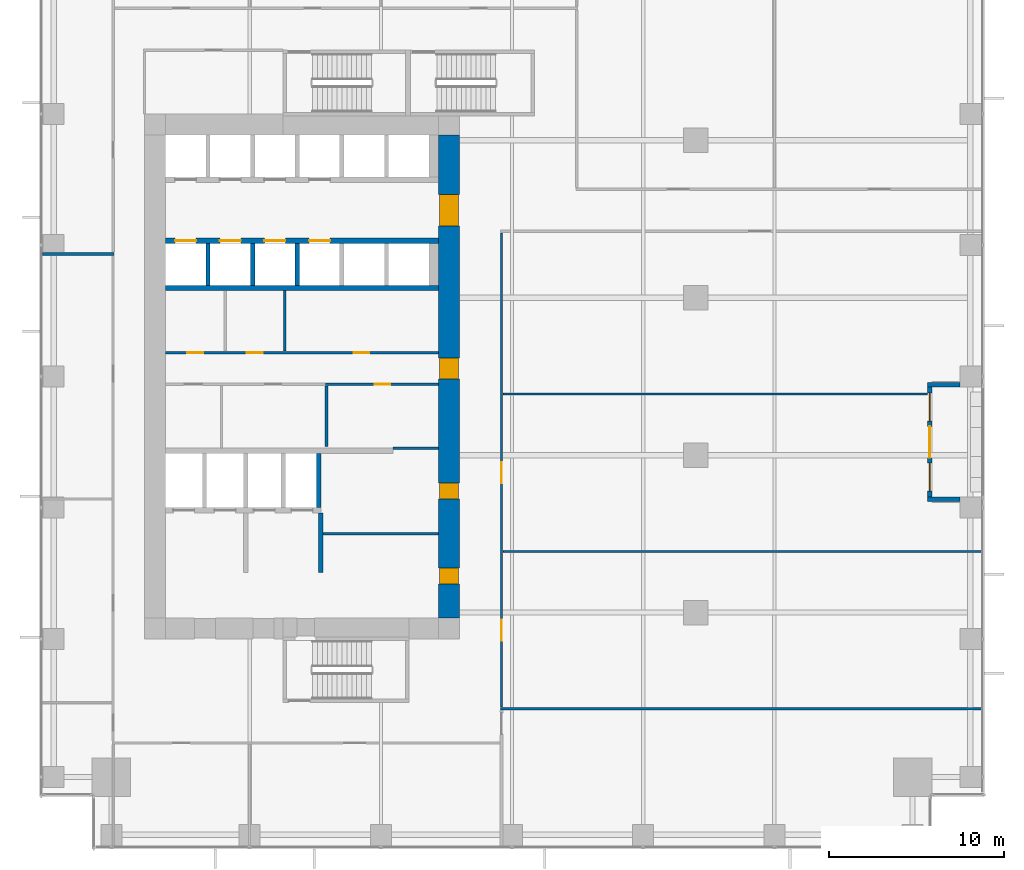
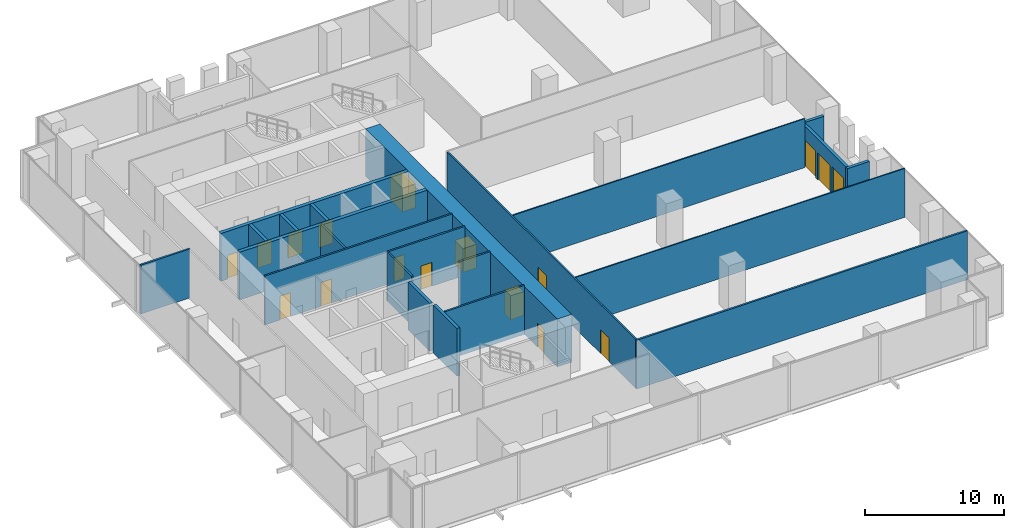
# One storey, part 27 of 32: 22 walls, 15 doors, 2 windows, 17 openings.
"""IFC4 building model written with IfcOpenShell, lengths in metres."""

from ifc_helpers import new_model, si_unit, direction, frame, frame_2d, origin, place, context, subcontext, project, spatial, rectangle, extrude, source, transform, mapped, material, layer, layer_set, type_object, element, fill, save


model = new_model("IFC4")

# Units and contexts
model_context = context("Model", 3, precision=1e-05, world=origin(), true_north=direction((0.0, 1.0)))
body_context = subcontext(model_context, "Body", "Model", "MODEL_VIEW")
ifc_project = project(units=[si_unit("LENGTHUNIT", "METRE"), si_unit("AREAUNIT", "SQUARE_METRE"), si_unit("VOLUMEUNIT", "CUBIC_METRE"), si_unit("PLANEANGLEUNIT", "RADIAN"), si_unit("MASSUNIT", "GRAM", prefix="KILO")], contexts=[model_context])

# Site, building, storey
site_placement = place(None, origin())
site = spatial("IfcSite", under=ifc_project, at=site_placement, CompositionType="ELEMENT")
building_placement = place(site_placement, origin())
building = spatial("IfcBuilding", under=site, at=building_placement, Name="Khomas Fold Tower", CompositionType="ELEMENT")
storey_placement = place(building_placement, frame((0.0, 0.0, 37.5)))
storey = spatial("IfcBuildingStorey", under=building, at=storey_placement, Name="L07", CompositionType="ELEMENT", Elevation=37.5)

# Wall, openings, doors
ifc_material_1 = material(Name="Concrete C70/85", Category="concrete")
ifc_layer_1 = layer(ifc_material_1, 1.199951171875)
ifc_layer_set_1 = layer_set([ifc_layer_1], Name="Concrete C70/85")
wall_type_1 = type_object("IfcWallType", Name="Core wall 1200", PredefinedType="SHEAR", material=ifc_layer_set_1)
shared_shape_1 = source(origin(), body_context, "Body", "SweptSolid", [
    extrude(rectangle(XDim=27.60009765625, YDim=1.199951171875, at=frame_2d((13.800048828125, 0.0))), origin(), (0.0, 0.0, 1.0), 4.199951171875),
])
wall_1_placement = place(storey_placement, frame((23.39990234375, 13.199951171875, 0.0), z_axis=(0.0, 0.0, 1.0), x_axis=(0.0, 1.0, 0.0)))
wall_1 = element("IfcWall", 1, at=wall_1_placement, inside=storey, type_object=wall_type_1, Name="Core wall CW-L-E-B2", PredefinedType="SHEAR", context=body_context, shape_type="MappedRepresentation", body=[
    mapped(shared_shape_1, transform((0.0, 0.0, 0.0))),
])
shared_shape_2 = source(origin(), body_context, "Body", "SweptSolid", [
    extrude(rectangle(XDim=1.800048828125, YDim=2.10009765625, at=frame_2d((0.89990234375, 1.050048828125))), frame((0.0, 0.60986328125, 0.0), z_axis=(0.0, -1.0, 0.0), x_axis=(1.0, 0.0, 0.0)), (0.0, 0.0, 1.0), 1.219970703125),
])
opening_1_placement = place(wall_1_placement, frame((22.39990234375, 0.0, 0.0)))
opening_1 = element("IfcOpeningElement", 2, at=opening_1_placement, cuts=wall_1, Name="Opening 0015", PredefinedType="OPENING", context=body_context, shape_type="MappedRepresentation", body=[
    mapped(shared_shape_2, transform((0.0, 0.0, 0.0))),
])
shared_shape_3 = source(origin(), body_context, "Body", "SweptSolid", [
    extrude(rectangle(XDim=1.199951171875, YDim=2.10009765625, at=frame_2d((0.60009765625, 1.050048828125))), frame((0.0, 0.60986328125, 0.0), z_axis=(0.0, -1.0, 0.0), x_axis=(1.0, 0.0, 0.0)), (0.0, 0.0, 1.0), 1.219970703125),
])
opening_2_placement = place(wall_1_placement, frame((13.64990234375, 0.0, 0.0)))
opening_2 = element("IfcOpeningElement", 3, at=opening_2_placement, cuts=wall_1, Name="Opening 0001", PredefinedType="OPENING", context=body_context, shape_type="MappedRepresentation", body=[
    mapped(shared_shape_3, transform((0.0, 0.0, 0.0))),
])
shared_shape_4 = source(origin(), body_context, "Body", "SweptSolid", [
    extrude(rectangle(XDim=0.89990234375, YDim=2.10009765625, at=frame_2d((0.449951171875, 1.050048828125))), frame((0.0, 0.60986328125, 0.0), z_axis=(0.0, -1.0, 0.0), x_axis=(1.0, 0.0, 0.0)), (0.0, 0.0, 1.0), 1.219970703125),
])
opening_3_placement = place(wall_1_placement, frame((1.949951171875, 0.0, 0.0)))
opening_3 = element("IfcOpeningElement", 4, at=opening_3_placement, cuts=wall_1, Name="Opening 0003", PredefinedType="OPENING", context=body_context, shape_type="MappedRepresentation", body=[
    mapped(shared_shape_4, transform((0.0, 0.0, 0.0))),
])
opening_4_placement = place(wall_1_placement, frame((6.800048828125, 0.0, 0.0)))
opening_4 = element("IfcOpeningElement", 5, at=opening_4_placement, cuts=wall_1, Name="Opening 0003", PredefinedType="OPENING", context=body_context, shape_type="MappedRepresentation", body=[
    mapped(shared_shape_4, transform((0.0, 0.0, 0.0))),
])
ifc_material_2 = material(Name="Timber door leaf", Category="wood")
door_type_1 = type_object("IfcDoorType", Name="Door 1200x2100 right-hand", OperationType="SINGLE_SWING_RIGHT", PredefinedType="DOOR", material=ifc_material_2)
shared_shape_5 = source(origin(), body_context, "Body", "SweptSolid", [
    extrude(rectangle(XDim=1.199951171875, YDim=2.10009765625, at=frame_2d((0.60009765625, 1.050048828125))), frame((0.0, 0.5498046875, 0.0), z_axis=(0.0, -1.0, 0.0), x_axis=(1.0, 0.0, 0.0)), (0.0, 0.0, 1.0), 1.099853515625),
])
door_1_placement = place(opening_2_placement, origin())
door_1 = element("IfcDoor", 6, at=door_1_placement, inside=storey, type_object=door_type_1, Name="Door", OperationType="SINGLE_SWING_RIGHT", OverallHeight=2.10009765625, OverallWidth=1.199951171875, PredefinedType="DOOR", context=body_context, shape_type="MappedRepresentation", body=[
    mapped(shared_shape_5, transform((0.0, 0.0, 0.0))),
])
fill(opening_2, door_1)
ifc_material_3 = material(Name="Steel door leaf", Category="steel")
door_type_2 = type_object("IfcDoorType", Name="Plant room door 900x2100 right-hand", OperationType="SINGLE_SWING_RIGHT", PredefinedType="DOOR", material=ifc_material_3)
shared_shape_6 = source(origin(), body_context, "Body", "SweptSolid", [
    extrude(rectangle(XDim=0.89990234375, YDim=2.10009765625, at=frame_2d((0.449951171875, 1.050048828125))), frame((0.0, 0.5498046875, 0.0), z_axis=(0.0, -1.0, 0.0), x_axis=(1.0, 0.0, 0.0)), (0.0, 0.0, 1.0), 1.099853515625),
])
door_2_placement = place(opening_3_placement, origin())
door_2 = element("IfcDoor", 7, at=door_2_placement, inside=storey, type_object=door_type_2, Name="Plant room door", OperationType="SINGLE_SWING_RIGHT", OverallHeight=2.10009765625, OverallWidth=0.89990234375, PredefinedType="DOOR", context=body_context, shape_type="MappedRepresentation", body=[
    mapped(shared_shape_6, transform((0.0, 0.0, 0.0))),
])
fill(opening_3, door_2)
door_3_placement = place(opening_4_placement, origin())
door_3 = element("IfcDoor", 8, at=door_3_placement, inside=storey, type_object=door_type_2, Name="Plant room door", OperationType="SINGLE_SWING_RIGHT", OverallHeight=2.10009765625, OverallWidth=0.89990234375, PredefinedType="DOOR", context=body_context, shape_type="MappedRepresentation", body=[
    mapped(shared_shape_6, transform((0.0, 0.0, 0.0))),
])
fill(opening_4, door_3)
ifc_material_4 = material(Name="Steel door leaf", Category="steel")
door_type_3 = type_object("IfcDoorType", Name="Lobby door 1800x2100", OperationType="DOUBLE_DOOR_SINGLE_SWING", PredefinedType="DOOR", material=ifc_material_4)
shared_shape_7 = source(origin(), body_context, "Body", "SweptSolid", [
    extrude(rectangle(XDim=1.800048828125, YDim=2.10009765625, at=frame_2d((0.89990234375, 1.050048828125))), frame((0.0, 0.5498046875, 0.0), z_axis=(0.0, -1.0, 0.0), x_axis=(1.0, 0.0, 0.0)), (0.0, 0.0, 1.0), 1.099853515625),
])
door_4_placement = place(opening_1_placement, origin())
door_4 = element("IfcDoor", 9, at=door_4_placement, inside=storey, type_object=door_type_3, Name="Lobby door", OperationType="DOUBLE_DOOR_SINGLE_SWING", OverallHeight=2.10009765625, OverallWidth=1.800048828125, PredefinedType="DOOR", context=body_context, shape_type="MappedRepresentation", body=[
    mapped(shared_shape_7, transform((0.0, 0.0, 0.0))),
])
fill(opening_1, door_4)

# Wall
ifc_material_5 = material(Name="Concrete C50/60", Category="concrete")
ifc_layer_2 = layer(ifc_material_5, 0.300048828125)
ifc_layer_set_2 = layer_set([ifc_layer_2], Name="Concrete C50/60")
wall_type_2 = type_object("IfcWallType", Name="Shaft wall 300", PredefinedType="STANDARD", material=ifc_layer_set_2)
shared_shape_8 = source(origin(), body_context, "Body", "SweptSolid", [
    extrude(rectangle(XDim=15.60009765625, YDim=0.300048828125, at=frame_2d((7.800048828125, 0.0))), origin(), (0.0, 0.0, 1.0), 4.199951171875),
])
wall_2_placement = place(storey_placement, frame((7.199951171875, 32.050048828125, 0.0), z_axis=(0.0, 0.0, 1.0), x_axis=(1.0, 0.0, 0.0)))
element("IfcWall", 10, at=wall_2_placement, inside=storey, type_object=wall_type_2, Name="Core wall SW-HRN-B", PredefinedType="STANDARD", context=body_context, shape_type="MappedRepresentation", body=[
    mapped(shared_shape_8, transform((0.0, 0.0, 0.0))),
])

# Wall, openings, doors
wall_3_placement = place(storey_placement, frame((7.199951171875, 34.75, 0.0), z_axis=(0.0, 0.0, 1.0), x_axis=(1.0, 0.0, 0.0)))
wall_3 = element("IfcWall", 11, at=wall_3_placement, inside=storey, type_object=wall_type_2, Name="Core wall SW-LRS-F", PredefinedType="STANDARD", context=body_context, shape_type="MappedRepresentation", body=[
    mapped(shared_shape_8, transform((0.0, 0.0, 0.0))),
])
shared_shape_9 = source(origin(), body_context, "Body", "SweptSolid", [
    extrude(rectangle(XDim=1.199951171875, YDim=2.10009765625, at=frame_2d((0.60009765625, 1.050048828125))), frame((0.0, 0.159912109375, 0.0), z_axis=(0.0, -1.0, 0.0), x_axis=(1.0, 0.0, 0.0)), (0.0, 0.0, 1.0), 0.320068359375),
])
opening_5_placement = place(wall_3_placement, frame((0.550048828125, 0.0, 0.0)))
opening_5 = element("IfcOpeningElement", 12, at=opening_5_placement, cuts=wall_3, Name="Opening LD-LR1", PredefinedType="OPENING", context=body_context, shape_type="MappedRepresentation", body=[
    mapped(shared_shape_9, transform((0.0, 0.0, 0.0))),
])
opening_6_placement = place(wall_3_placement, frame((3.10009765625, 0.0, 0.0)))
opening_6 = element("IfcOpeningElement", 13, at=opening_6_placement, cuts=wall_3, Name="Opening LD-LR2", PredefinedType="OPENING", context=body_context, shape_type="MappedRepresentation", body=[
    mapped(shared_shape_9, transform((0.0, 0.0, 0.0))),
])
opening_7_placement = place(wall_3_placement, frame((5.64990234375, 0.0, 0.0)))
opening_7 = element("IfcOpeningElement", 14, at=opening_7_placement, cuts=wall_3, Name="Opening LD-LR3", PredefinedType="OPENING", context=body_context, shape_type="MappedRepresentation", body=[
    mapped(shared_shape_9, transform((0.0, 0.0, 0.0))),
])
opening_8_placement = place(wall_3_placement, frame((8.199951171875, 0.0, 0.0)))
opening_8 = element("IfcOpeningElement", 15, at=opening_8_placement, cuts=wall_3, Name="Opening LD-LR4", PredefinedType="OPENING", context=body_context, shape_type="MappedRepresentation", body=[
    mapped(shared_shape_9, transform((0.0, 0.0, 0.0))),
])
ifc_material_6 = material(Name="Steel door leaf", Category="steel")
door_type_4 = type_object("IfcDoorType", Name="Landing door 1200x2100", OperationType="DOUBLE_DOOR_SLIDING", PredefinedType="DOOR", material=ifc_material_6)
shared_shape_10 = source(origin(), body_context, "Body", "SweptSolid", [
    extrude(rectangle(XDim=1.199951171875, YDim=2.10009765625, at=frame_2d((0.60009765625, 1.050048828125))), frame((0.0, 0.02490234375, 0.0), z_axis=(0.0, -1.0, 0.0), x_axis=(1.0, 0.0, 0.0)), (0.0, 0.0, 1.0), 0.050048828125),
])
door_5_placement = place(opening_5_placement, origin())
door_5 = element("IfcDoor", 16, at=door_5_placement, inside=storey, type_object=door_type_4, Name="Lift landing door", OperationType="DOUBLE_DOOR_SLIDING", OverallHeight=2.10009765625, OverallWidth=1.199951171875, PredefinedType="DOOR", context=body_context, shape_type="MappedRepresentation", body=[
    mapped(shared_shape_10, transform((0.0, 0.0, 0.0))),
])
fill(opening_5, door_5)
door_6_placement = place(opening_6_placement, origin())
door_6 = element("IfcDoor", 17, at=door_6_placement, inside=storey, type_object=door_type_4, Name="Lift landing door", OperationType="DOUBLE_DOOR_SLIDING", OverallHeight=2.10009765625, OverallWidth=1.199951171875, PredefinedType="DOOR", context=body_context, shape_type="MappedRepresentation", body=[
    mapped(shared_shape_10, transform((0.0, 0.0, 0.0))),
])
fill(opening_6, door_6)
door_7_placement = place(opening_7_placement, origin())
door_7 = element("IfcDoor", 18, at=door_7_placement, inside=storey, type_object=door_type_4, Name="Lift landing door", OperationType="DOUBLE_DOOR_SLIDING", OverallHeight=2.10009765625, OverallWidth=1.199951171875, PredefinedType="DOOR", context=body_context, shape_type="MappedRepresentation", body=[
    mapped(shared_shape_10, transform((0.0, 0.0, 0.0))),
])
fill(opening_7, door_7)
door_8_placement = place(opening_8_placement, origin())
door_8 = element("IfcDoor", 19, at=door_8_placement, inside=storey, type_object=door_type_4, Name="Lift landing door", OperationType="DOUBLE_DOOR_SLIDING", OverallHeight=2.10009765625, OverallWidth=1.199951171875, PredefinedType="DOOR", context=body_context, shape_type="MappedRepresentation", body=[
    mapped(shared_shape_10, transform((0.0, 0.0, 0.0))),
])
fill(opening_8, door_8)

# Walls
ifc_material_7 = material(Name="Concrete C50/60", Category="concrete")
ifc_layer_3 = layer(ifc_material_7, 0.25)
ifc_layer_set_3 = layer_set([ifc_layer_3], Name="Concrete C50/60")
wall_type_3 = type_object("IfcWallType", Name="Shaft wall 250", PredefinedType="STANDARD", material=ifc_layer_set_3)
shared_shape_11 = source(origin(), body_context, "Body", "SweptSolid", [
    extrude(rectangle(XDim=3.10009765625, YDim=0.25, at=frame_2d((1.550048828125, 0.0))), origin(), (0.0, 0.0, 1.0), 4.199951171875),
])
wall_4_placement = place(storey_placement, frame((15.949951171875, 19.5, 0.0), z_axis=(0.0, 0.0, 1.0), x_axis=(0.0, 1.0, 0.0)))
element("IfcWall", 20, at=wall_4_placement, inside=storey, type_object=wall_type_3, Name="Core wall SW-FS-PE", PredefinedType="STANDARD", context=body_context, shape_type="MappedRepresentation", body=[
    mapped(shared_shape_11, transform((0.0, 0.0, 0.0))),
])
shared_shape_12 = source(origin(), body_context, "Body", "SweptSolid", [
    extrude(rectangle(XDim=2.400146484375, YDim=0.25, at=frame_2d((1.2001953125, 0.0))), origin(), (0.0, 0.0, 1.0), 4.199951171875),
])
for number, where, z_axis, x_axis, name in (
    (21, (9.625, 32.199951171875, 0.0), (0.0, 0.0, 1.0), (0.0, 1.0, 0.0), "Core wall SW-LRS-P1"),
    (22, (12.175048828125, 32.199951171875, 0.0), (0.0, 0.0, 1.0), (0.0, 1.0, 0.0), "Core wall SW-LRS-P2"),
    (23, (14.72509765625, 32.199951171875, 0.0), (0.0, 0.0, 1.0), (0.0, 1.0, 0.0), "Core wall SW-LRS-P3"),
):
    element("IfcWall", number, at=place(storey_placement, frame(where, z_axis=z_axis, x_axis=x_axis)), inside=storey, type_object=wall_type_3, Name=name, PredefinedType="STANDARD", context=body_context, shape_type="MappedRepresentation", body=[
        mapped(shared_shape_12, transform((0.0, 0.0, 0.0))),
    ])
ifc_material_8 = material(Name="Concrete C50/60", Category="concrete")
ifc_layer_4 = layer(ifc_material_8, 0.25)
ifc_layer_set_4 = layer_set([ifc_layer_4], Name="Concrete C50/60")
wall_type_4 = type_object("IfcWallType", Name="Lobby wall 250", PredefinedType="STANDARD", material=ifc_layer_set_4)
shared_shape_13 = source(origin(), body_context, "Body", "SweptSolid", [
    extrude(rectangle(XDim=3.39990234375, YDim=0.25, at=frame_2d((1.699951171875, 0.0))), origin(), (0.0, 0.0, 1.0), 4.199951171875),
])
wall_5_placement = place(storey_placement, frame((16.074951171875, 15.800048828125, 0.0), z_axis=(0.0, 0.0, 1.0), x_axis=(0.0, 1.0, 0.0)))
element("IfcWall", 24, at=wall_5_placement, inside=storey, type_object=wall_type_4, Name="Core wall SW-FS-LOB-E", PredefinedType="STANDARD", context=body_context, shape_type="MappedRepresentation", body=[
    mapped(shared_shape_13, transform((0.0, 0.0, 0.0))),
])

# Wall, openings, windows, door
ifc_material_9 = material(Name="Natural stone", Category="masonry")
ifc_layer_5 = layer(ifc_material_9, 0.0400390625)
ifc_material_10 = material(Name="Mineral wool insulation", Category="insulation")
ifc_layer_6 = layer(ifc_material_10, 0.10009765625)
ifc_material_11 = material(Name="Masonry", Category="masonry")
ifc_layer_7 = layer(ifc_material_11, 0.110107421875)
ifc_layer_set_5 = layer_set([ifc_layer_5, ifc_layer_6, ifc_layer_7], Name="Stone-faced insulated masonry")
wall_type_5 = type_object("IfcWallType", Name="BL-Balcony wall", PredefinedType="SOLIDWALL", material=ifc_layer_set_5)
shared_shape_14 = source(origin(), body_context, "Body", "SweptSolid", [
    extrude(rectangle(XDim=6.2998046875, YDim=0.25, at=frame_2d((3.14990234375, 0.0))), origin(), (0.0, 0.0, 1.0), 3.60009765625),
])
wall_6_placement = place(storey_placement, frame((50.875, 20.10009765625, 0.0), z_axis=(0.0, 0.0, 1.0), x_axis=(0.0, 1.0, 0.0)))
wall_6 = element("IfcWall", 25, at=wall_6_placement, inside=storey, type_object=wall_type_5, Name="Balcony wall BAL-L07-E2", PredefinedType="SOLIDWALL", context=body_context, shape_type="MappedRepresentation", body=[
    mapped(shared_shape_14, transform((0.0, 0.0, 0.0))),
])
shared_shape_15 = source(origin(), body_context, "Body", "SweptSolid", [
    extrude(rectangle(XDim=1.60009765625, YDim=2.39990234375, at=frame_2d((0.800048828125, 1.199951171875))), frame((0.0, 0.135009765625, 0.0), z_axis=(0.0, -1.0, 0.0), x_axis=(1.0, 0.0, 0.0)), (0.0, 0.0, 1.0), 0.27001953125),
])
opening_9_placement = place(wall_6_placement, frame((0.35009765625, 0.0, 0.0)))
opening_9 = element("IfcOpeningElement", 26, at=opening_9_placement, cuts=wall_6, Name="Opening BL-W1", PredefinedType="OPENING", context=body_context, shape_type="MappedRepresentation", body=[
    mapped(shared_shape_15, transform((0.0, 0.0, 0.0))),
])
opening_10_placement = place(wall_6_placement, frame((4.35009765625, 0.0, 0.0)))
opening_10 = element("IfcOpeningElement", 27, at=opening_10_placement, cuts=wall_6, Name="Opening BL-W1", PredefinedType="OPENING", context=body_context, shape_type="MappedRepresentation", body=[
    mapped(shared_shape_15, transform((0.0, 0.0, 0.0))),
])
shared_shape_16 = source(origin(), body_context, "Body", "SweptSolid", [
    extrude(rectangle(XDim=1.800048828125, YDim=2.39990234375, at=frame_2d((0.89990234375, 1.199951171875))), frame((0.0, 0.135009765625, 0.0), z_axis=(0.0, -1.0, 0.0), x_axis=(1.0, 0.0, 0.0)), (0.0, 0.0, 1.0), 0.27001953125),
])
opening_11_placement = place(wall_6_placement, frame((2.25, 0.0, 0.0)))
opening_11 = element("IfcOpeningElement", 28, at=opening_11_placement, cuts=wall_6, Name="Opening BD072", PredefinedType="OPENING", context=body_context, shape_type="MappedRepresentation", body=[
    mapped(shared_shape_16, transform((0.0, 0.0, 0.0))),
])
ifc_material_12 = material(Name="Aluminium framed double glazing", Category="aluminium")
window_type = type_object("IfcWindowType", Name="BL-Fixed glazing 1600 x 2400", PartitioningType="SINGLE_PANEL", PredefinedType="WINDOW", material=ifc_material_12)
shared_shape_17 = source(origin(), body_context, "Body", "SweptSolid", [
    extrude(rectangle(XDim=1.60009765625, YDim=2.39990234375, at=frame_2d((0.800048828125, 1.199951171875))), frame((0.0, 0.030029296875, 0.0), z_axis=(0.0, -1.0, 0.0), x_axis=(1.0, 0.0, 0.0)), (0.0, 0.0, 1.0), 0.06005859375),
])
window_1_placement = place(opening_9_placement, origin())
window_1 = element("IfcWindow", 29, at=window_1_placement, inside=storey, type_object=window_type, Name="Balcony glazing BAL-L07-E2-1", OverallHeight=2.39990234375, OverallWidth=1.60009765625, PartitioningType="SINGLE_PANEL", PredefinedType="WINDOW", context=body_context, shape_type="MappedRepresentation", body=[
    mapped(shared_shape_17, transform((0.0, 0.0, 0.0))),
])
fill(opening_9, window_1)
window_2_placement = place(opening_10_placement, origin())
window_2 = element("IfcWindow", 30, at=window_2_placement, inside=storey, type_object=window_type, Name="Balcony glazing BAL-L07-E2-2", OverallHeight=2.39990234375, OverallWidth=1.60009765625, PartitioningType="SINGLE_PANEL", PredefinedType="WINDOW", context=body_context, shape_type="MappedRepresentation", body=[
    mapped(shared_shape_17, transform((0.0, 0.0, 0.0))),
])
fill(opening_10, window_2)
ifc_material_13 = material(Name="Aluminium framed double glazing", Category="aluminium")
door_type_5 = type_object("IfcDoorType", Name="BL-Glazed balcony door 1800 x 2400", OperationType="DOUBLE_DOOR_DOUBLE_SWING", PredefinedType="DOOR", material=ifc_material_13)
shared_shape_18 = source(origin(), body_context, "Body", "SweptSolid", [
    extrude(rectangle(XDim=1.800048828125, YDim=2.39990234375, at=frame_2d((0.89990234375, 1.199951171875))), frame((0.0, 0.02490234375, 0.0), z_axis=(0.0, -1.0, 0.0), x_axis=(1.0, 0.0, 0.0)), (0.0, 0.0, 1.0), 0.050048828125),
])
door_9_placement = place(opening_11_placement, origin())
door_9 = element("IfcDoor", 31, at=door_9_placement, inside=storey, type_object=door_type_5, Name="Balcony door BD072", OperationType="DOUBLE_DOOR_DOUBLE_SWING", OverallHeight=2.39990234375, OverallWidth=1.800048828125, PredefinedType="DOOR", context=body_context, shape_type="MappedRepresentation", body=[
    mapped(shared_shape_18, transform((0.0, 0.0, 0.0))),
])
fill(opening_11, door_9)

# Walls
shared_shape_19 = source(origin(), body_context, "Body", "SweptSolid", [
    extrude(rectangle(XDim=1.85009765625, YDim=0.25, at=frame_2d((0.925048828125, 0.0))), origin(), (0.0, 0.0, 1.0), 3.60009765625),
])
for number, where, z_axis, x_axis, name in (
    (32, (52.60009765625, 19.97509765625, 0.0), (0.0, 0.0, 1.0), (-1.0, 0.0, 0.0), "Balcony return wall BAL-L07-E2-lo"),
    (33, (52.60009765625, 26.52490234375, 0.0), (0.0, 0.0, 1.0), (-1.0, 0.0, 0.0), "Balcony return wall BAL-L07-E2-hi"),
):
    element("IfcWall", number, at=place(storey_placement, frame(where, z_axis=z_axis, x_axis=x_axis)), inside=storey, type_object=wall_type_5, Name=name, PredefinedType="SOLIDWALL", context=body_context, shape_type="MappedRepresentation", body=[
        mapped(shared_shape_19, transform((0.0, 0.0, 0.0))),
    ])
ifc_material_14 = material(Name="Plasterboard fire partition")
ifc_layer_8 = layer(ifc_material_14, 0.14990234375)
ifc_layer_set_6 = layer_set([ifc_layer_8], Name="Plasterboard fire partition")
wall_type_6 = type_object("IfcWallType", Name="Plant room wall PW3 150", PredefinedType="PARTITIONING", material=ifc_layer_set_6)
shared_shape_20 = source(origin(), body_context, "Body", "SweptSolid", [
    extrude(rectangle(XDim=27.5, YDim=0.14990234375, at=frame_2d((13.75, 0.0))), origin(), (0.0, 0.0, 1.0), 4.300048828125),
])
wall_7_placement = place(storey_placement, frame((26.35009765625, 8.0, 0.0), z_axis=(0.0, 0.0, 1.0), x_axis=(1.0, 0.0, 0.0)))
element("IfcWall", 34, at=wall_7_placement, inside=storey, type_object=wall_type_6, Name="Plant room wall", PredefinedType="PARTITIONING", context=body_context, shape_type="MappedRepresentation", body=[
    mapped(shared_shape_20, transform((0.0, 0.0, 0.0))),
])

# Wall, openings, doors
ifc_material_15 = material(Name="Plasterboard partition")
ifc_layer_9 = layer(ifc_material_15, 0.125)
ifc_layer_set_7 = layer_set([ifc_layer_9], Name="Plasterboard partition")
wall_type_7 = type_object("IfcWallType", Name="Partition PW2 125", PredefinedType="PARTITIONING", material=ifc_layer_set_7)
shared_shape_21 = source(origin(), body_context, "Body", "SweptSolid", [
    extrude(rectangle(XDim=27.099853515625, YDim=0.125, at=frame_2d((13.5498046875, 0.0))), origin(), (0.0, 0.0, 1.0), 4.300048828125),
])
wall_8_placement = place(storey_placement, frame((26.39990234375, 8.10009765625, 0.0), z_axis=(0.0, 0.0, 1.0), x_axis=(0.0, 1.0, 0.0)))
wall_8 = element("IfcWall", 35, at=wall_8_placement, inside=storey, type_object=wall_type_7, Name="Partition", PredefinedType="PARTITIONING", context=body_context, shape_type="MappedRepresentation", body=[
    mapped(shared_shape_21, transform((0.0, 0.0, 0.0))),
])
shared_shape_22 = source(origin(), body_context, "Body", "SweptSolid", [
    extrude(rectangle(XDim=1.199951171875, YDim=2.10009765625, at=frame_2d((0.60009765625, 1.050048828125))), frame((0.0, 0.072509765625, 0.0), z_axis=(0.0, -1.0, 0.0), x_axis=(1.0, 0.0, 0.0)), (0.0, 0.0, 1.0), 0.14501953125),
])
opening_12_placement = place(wall_8_placement, frame((3.800048828125, 0.0, 0.0)))
opening_12 = element("IfcOpeningElement", 36, at=opening_12_placement, cuts=wall_8, Name="Opening 0013", PredefinedType="OPENING", context=body_context, shape_type="MappedRepresentation", body=[
    mapped(shared_shape_22, transform((0.0, 0.0, 0.0))),
])
opening_13_placement = place(wall_8_placement, frame((12.800048828125, 0.0, 0.0)))
opening_13 = element("IfcOpeningElement", 37, at=opening_13_placement, cuts=wall_8, Name="Opening 0013", PredefinedType="OPENING", context=body_context, shape_type="MappedRepresentation", body=[
    mapped(shared_shape_22, transform((0.0, 0.0, 0.0))),
])
ifc_material_16 = material(Name="Timber door leaf", Category="wood")
door_type_6 = type_object("IfcDoorType", Name="Door 1200x2100 left-hand", OperationType="SINGLE_SWING_LEFT", PredefinedType="DOOR", material=ifc_material_16)
door_10_placement = place(opening_12_placement, origin())
door_10 = element("IfcDoor", 38, at=door_10_placement, inside=storey, type_object=door_type_6, Name="Door", OperationType="SINGLE_SWING_LEFT", OverallHeight=2.10009765625, OverallWidth=1.199951171875, PredefinedType="DOOR", context=body_context, shape_type="MappedRepresentation", body=[
    mapped(shared_shape_10, transform((0.0, 0.0, 0.0))),
])
fill(opening_12, door_10)
door_11_placement = place(opening_13_placement, origin())
door_11 = element("IfcDoor", 39, at=door_11_placement, inside=storey, type_object=door_type_6, Name="Door", OperationType="SINGLE_SWING_LEFT", OverallHeight=2.10009765625, OverallWidth=1.199951171875, PredefinedType="DOOR", context=body_context, shape_type="MappedRepresentation", body=[
    mapped(shared_shape_10, transform((0.0, 0.0, 0.0))),
])
fill(opening_13, door_11)

# Walls
ifc_material_17 = material(Name="Plasterboard partition")
ifc_layer_10 = layer(ifc_material_17, 0.10009765625)
ifc_layer_set_8 = layer_set([ifc_layer_10], Name="Plasterboard partition")
wall_type_8 = type_object("IfcWallType", Name="Partition PW1 100", PredefinedType="PARTITIONING", material=ifc_layer_set_8)
shared_shape_23 = source(origin(), body_context, "Body", "SweptSolid", [
    extrude(rectangle(XDim=27.35009765625, YDim=0.10009765625, at=frame_2d((13.675048828125, 0.0))), origin(), (0.0, 0.0, 1.0), 4.300048828125),
])
wall_9_placement = place(storey_placement, frame((26.5, 17.0, 0.0), z_axis=(0.0, 0.0, 1.0), x_axis=(1.0, 0.0, 0.0)))
element("IfcWall", 40, at=wall_9_placement, inside=storey, type_object=wall_type_8, Name="Partition", PredefinedType="PARTITIONING", context=body_context, shape_type="MappedRepresentation", body=[
    mapped(shared_shape_23, transform((0.0, 0.0, 0.0))),
])
shared_shape_24 = source(origin(), body_context, "Body", "SweptSolid", [
    extrude(rectangle(XDim=6.60009765625, YDim=0.14990234375, at=frame_2d((3.300048828125, 0.0))), origin(), (0.0, 0.0, 1.0), 4.300048828125),
])
wall_10_placement = place(storey_placement, frame((16.199951171875, 18.0, 0.0), z_axis=(0.0, 0.0, 1.0), x_axis=(1.0, 0.0, 0.0)))
element("IfcWall", 41, at=wall_10_placement, inside=storey, type_object=wall_type_6, Name="Plant room wall", PredefinedType="PARTITIONING", context=body_context, shape_type="MappedRepresentation", body=[
    mapped(shared_shape_24, transform((0.0, 0.0, 0.0))),
])
shared_shape_25 = source(origin(), body_context, "Body", "SweptSolid", [
    extrude(rectangle(XDim=2.60009765625, YDim=0.14990234375, at=frame_2d((1.300048828125, 0.0))), origin(), (0.0, 0.0, 1.0), 4.300048828125),
])
wall_11_placement = place(storey_placement, frame((20.199951171875, 22.89990234375, 0.0), z_axis=(0.0, 0.0, 1.0), x_axis=(1.0, 0.0, 0.0)))
element("IfcWall", 42, at=wall_11_placement, inside=storey, type_object=wall_type_6, Name="Plant room wall", PredefinedType="PARTITIONING", context=body_context, shape_type="MappedRepresentation", body=[
    mapped(shared_shape_25, transform((0.0, 0.0, 0.0))),
])
shared_shape_26 = source(origin(), body_context, "Body", "SweptSolid", [
    extrude(rectangle(XDim=3.449951171875, YDim=0.14990234375, at=frame_2d((1.72509765625, 0.0))), origin(), (0.0, 0.0, 1.0), 4.300048828125),
])
for number, where, z_axis, x_axis, name in (
    (43, (16.39990234375, 23.0, 0.0), (0.0, 0.0, 1.0), (0.0, 1.0, 0.0), "Plant room wall"),
    (44, (14.0, 28.449951171875, 0.0), (0.0, 0.0, 1.0), (0.0, 1.0, 0.0), "Plant room wall"),
):
    element("IfcWall", number, at=place(storey_placement, frame(where, z_axis=z_axis, x_axis=x_axis)), inside=storey, type_object=wall_type_6, Name=name, PredefinedType="PARTITIONING", context=body_context, shape_type="MappedRepresentation", body=[
        mapped(shared_shape_26, transform((0.0, 0.0, 0.0))),
    ])
shared_shape_27 = source(origin(), body_context, "Body", "SweptSolid", [
    extrude(rectangle(XDim=24.25, YDim=0.10009765625, at=frame_2d((12.125, 0.0))), origin(), (0.0, 0.0, 1.0), 4.300048828125),
])
wall_12_placement = place(storey_placement, frame((26.5, 26.0, 0.0), z_axis=(0.0, 0.0, 1.0), x_axis=(1.0, 0.0, 0.0)))
element("IfcWall", 45, at=wall_12_placement, inside=storey, type_object=wall_type_8, Name="Partition", PredefinedType="PARTITIONING", context=body_context, shape_type="MappedRepresentation", body=[
    mapped(shared_shape_27, transform((0.0, 0.0, 0.0))),
])

# Wall, opening, door
shared_shape_28 = source(origin(), body_context, "Body", "SweptSolid", [
    extrude(rectangle(XDim=6.449951171875, YDim=0.14990234375, at=frame_2d((3.22509765625, 0.0))), origin(), (0.0, 0.0, 1.0), 4.300048828125),
])
wall_13_placement = place(storey_placement, frame((16.35009765625, 26.550048828125, 0.0), z_axis=(0.0, 0.0, 1.0), x_axis=(1.0, 0.0, 0.0)))
wall_13 = element("IfcWall", 46, at=wall_13_placement, inside=storey, type_object=wall_type_6, Name="Plant room wall", PredefinedType="PARTITIONING", context=body_context, shape_type="MappedRepresentation", body=[
    mapped(shared_shape_28, transform((0.0, 0.0, 0.0))),
])
shared_shape_29 = source(origin(), body_context, "Body", "SweptSolid", [
    extrude(rectangle(XDim=0.89990234375, YDim=2.10009765625, at=frame_2d((0.449951171875, 1.050048828125))), frame((0.0, 0.0849609375, 0.0), z_axis=(0.0, -1.0, 0.0), x_axis=(1.0, 0.0, 0.0)), (0.0, 0.0, 1.0), 0.169921875),
])
opening_14_placement = place(wall_13_placement, frame((2.800048828125, 0.0, 0.0)))
opening_14 = element("IfcOpeningElement", 47, at=opening_14_placement, cuts=wall_13, Name="Opening 0002", PredefinedType="OPENING", context=body_context, shape_type="MappedRepresentation", body=[
    mapped(shared_shape_29, transform((0.0, 0.0, 0.0))),
])
ifc_material_18 = material(Name="Steel door leaf", Category="steel")
door_type_7 = type_object("IfcDoorType", Name="Plant room door 900x2100 left-hand", OperationType="SINGLE_SWING_LEFT", PredefinedType="DOOR", material=ifc_material_18)
shared_shape_30 = source(origin(), body_context, "Body", "SweptSolid", [
    extrude(rectangle(XDim=0.89990234375, YDim=2.10009765625, at=frame_2d((0.449951171875, 1.050048828125))), frame((0.0, 0.02490234375, 0.0), z_axis=(0.0, -1.0, 0.0), x_axis=(1.0, 0.0, 0.0)), (0.0, 0.0, 1.0), 0.050048828125),
])
door_12_placement = place(opening_14_placement, origin())
door_12 = element("IfcDoor", 48, at=door_12_placement, inside=storey, type_object=door_type_7, Name="Plant room door", OperationType="SINGLE_SWING_LEFT", OverallHeight=2.10009765625, OverallWidth=0.89990234375, PredefinedType="DOOR", context=body_context, shape_type="MappedRepresentation", body=[
    mapped(shared_shape_30, transform((0.0, 0.0, 0.0))),
])
fill(opening_14, door_12)

# Wall, openings, doors
shared_shape_31 = source(origin(), body_context, "Body", "SweptSolid", [
    extrude(rectangle(XDim=15.60009765625, YDim=0.14990234375, at=frame_2d((7.800048828125, 0.0))), origin(), (0.0, 0.0, 1.0), 4.300048828125),
])
wall_14_placement = place(storey_placement, frame((7.199951171875, 28.35009765625, 0.0), z_axis=(0.0, 0.0, 1.0), x_axis=(1.0, 0.0, 0.0)))
wall_14 = element("IfcWall", 49, at=wall_14_placement, inside=storey, type_object=wall_type_6, Name="Plant room wall", PredefinedType="PARTITIONING", context=body_context, shape_type="MappedRepresentation", body=[
    mapped(shared_shape_31, transform((0.0, 0.0, 0.0))),
])
opening_15_placement = place(wall_14_placement, frame((1.25, 0.0, 0.0)))
opening_15 = element("IfcOpeningElement", 50, at=opening_15_placement, cuts=wall_14, Name="Opening 0002", PredefinedType="OPENING", context=body_context, shape_type="MappedRepresentation", body=[
    mapped(shared_shape_29, transform((0.0, 0.0, 0.0))),
])
opening_16_placement = place(wall_14_placement, frame((4.64990234375, 0.0, 0.0)))
opening_16 = element("IfcOpeningElement", 51, at=opening_16_placement, cuts=wall_14, Name="Opening 0003", PredefinedType="OPENING", context=body_context, shape_type="MappedRepresentation", body=[
    mapped(shared_shape_29, transform((0.0, 0.0, 0.0))),
])
opening_17_placement = place(wall_14_placement, frame((10.75, 0.0, 0.0)))
opening_17 = element("IfcOpeningElement", 52, at=opening_17_placement, cuts=wall_14, Name="Opening 0002", PredefinedType="OPENING", context=body_context, shape_type="MappedRepresentation", body=[
    mapped(shared_shape_29, transform((0.0, 0.0, 0.0))),
])
door_13_placement = place(opening_15_placement, origin())
door_13 = element("IfcDoor", 53, at=door_13_placement, inside=storey, type_object=door_type_7, Name="Plant room door", OperationType="SINGLE_SWING_LEFT", OverallHeight=2.10009765625, OverallWidth=0.89990234375, PredefinedType="DOOR", context=body_context, shape_type="MappedRepresentation", body=[
    mapped(shared_shape_30, transform((0.0, 0.0, 0.0))),
])
fill(opening_15, door_13)
door_14_placement = place(opening_16_placement, origin())
door_14 = element("IfcDoor", 54, at=door_14_placement, inside=storey, type_object=door_type_2, Name="Plant room door", OperationType="SINGLE_SWING_RIGHT", OverallHeight=2.10009765625, OverallWidth=0.89990234375, PredefinedType="DOOR", context=body_context, shape_type="MappedRepresentation", body=[
    mapped(shared_shape_30, transform((0.0, 0.0, 0.0))),
])
fill(opening_16, door_14)
door_15_placement = place(opening_17_placement, origin())
door_15 = element("IfcDoor", 55, at=door_15_placement, inside=storey, type_object=door_type_7, Name="Plant room door", OperationType="SINGLE_SWING_LEFT", OverallHeight=2.10009765625, OverallWidth=0.89990234375, PredefinedType="DOOR", context=body_context, shape_type="MappedRepresentation", body=[
    mapped(shared_shape_30, transform((0.0, 0.0, 0.0))),
])
fill(opening_17, door_15)

# Wall
shared_shape_32 = source(origin(), body_context, "Body", "SweptSolid", [
    extrude(rectangle(XDim=4.10009765625, YDim=0.14990234375, at=frame_2d((2.050048828125, 0.0))), origin(), (0.0, 0.0, 1.0), 4.300048828125),
])
wall_15_placement = place(storey_placement, frame((0.14990234375, 34.0, 0.0), z_axis=(0.0, 0.0, 1.0), x_axis=(1.0, 0.0, 0.0)))
element("IfcWall", 56, at=wall_15_placement, inside=storey, type_object=wall_type_6, Name="Plant room wall", PredefinedType="PARTITIONING", context=body_context, shape_type="MappedRepresentation", body=[
    mapped(shared_shape_32, transform((0.0, 0.0, 0.0))),
])

save(model, "model.ifc")
